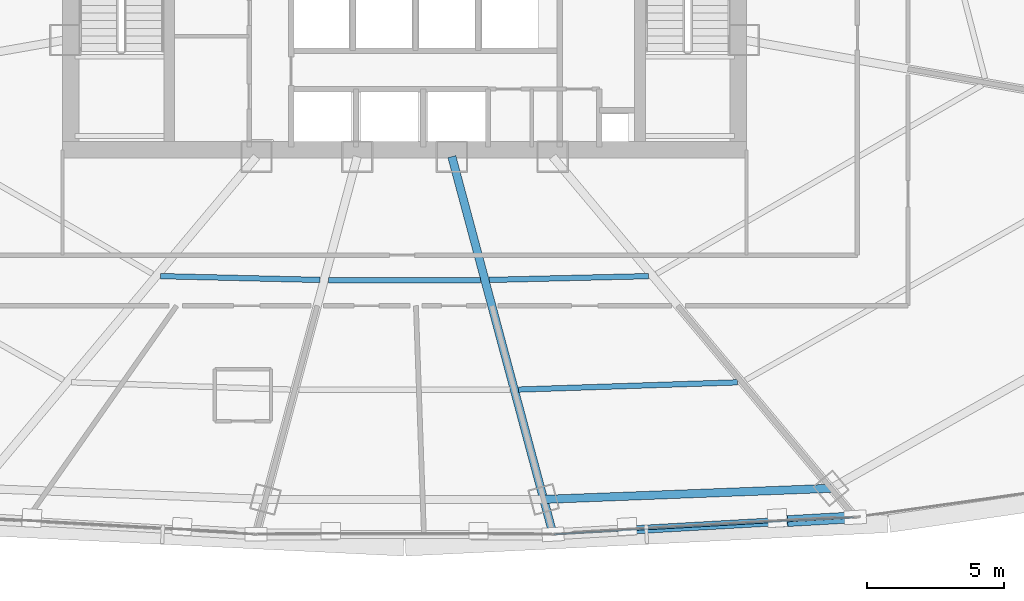
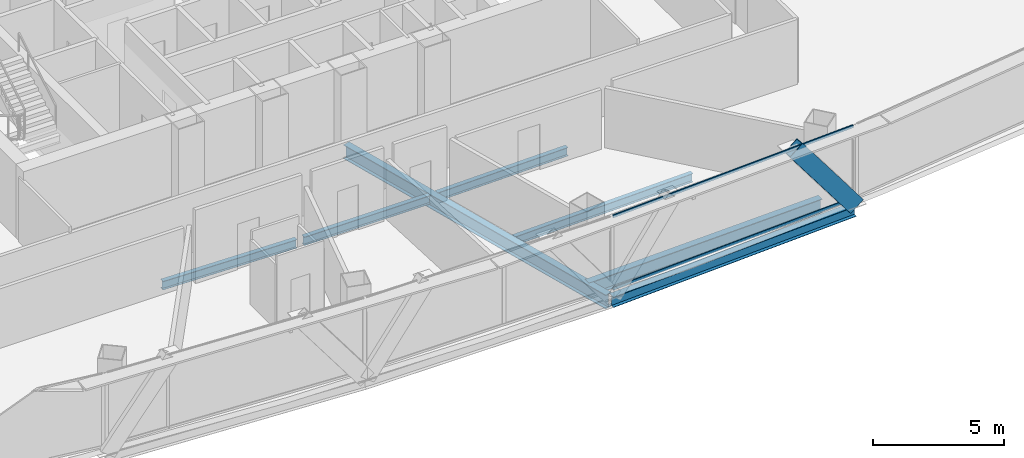
# One storey, part 13 of 40: 7 beams, 3 members, 1 element without a shape of its own.
"""IFC4 building model written with IfcOpenShell, lengths in metres."""

from ifc_helpers import new_model, si_unit, direction, frame, origin, origin_2d, place, context, subcontext, project, spatial, hollow_rectangle, i_section, extrude, source, transform, mapped, material, layer, layer_set, material_profile, profile_set, type_object, element, aggregate, save


model = new_model("IFC4")

# Units and contexts
model_context = context("Model", 3, precision=1e-05, world=origin(), true_north=direction((0.0, 1.0)))
body_context = subcontext(model_context, "Body", "Model", "MODEL_VIEW")
ifc_project = project(units=[si_unit("LENGTHUNIT", "METRE"), si_unit("AREAUNIT", "SQUARE_METRE"), si_unit("VOLUMEUNIT", "CUBIC_METRE"), si_unit("PLANEANGLEUNIT", "RADIAN"), si_unit("MASSUNIT", "GRAM", prefix="KILO"), si_unit("THERMODYNAMICTEMPERATUREUNIT", "KELVIN"), si_unit("POWERUNIT", "WATT")], contexts=[model_context])

# Site, building, storey
site_placement = place(None, origin())
site = spatial("IfcSite", under=ifc_project, at=site_placement, CompositionType="ELEMENT")
building_placement = place(site_placement, origin())
building = spatial("IfcBuilding", under=site, at=building_placement, Name="Yunzhuo Pagoda Commons", CompositionType="ELEMENT")
storey_placement = place(building_placement, frame((0.0, 0.0, 159.27001953125)))
storey = spatial("IfcBuildingStorey", under=building, at=storey_placement, Name="L40", CompositionType="ELEMENT", Elevation=159.27001953125)

# Beams
ifc_material_1 = material(Name="Structural steel Q355B", Category="steel")
ifc_material_profile_1 = material_profile(ifc_material_1, i_section(OverallWidth=0.300048828125, OverallDepth=0.64990234375, WebThickness=0.012939453125, FlangeThickness=0.02197265625, at=origin_2d()), Name="Structural steel Q355B")
ifc_profile_set_1 = profile_set([ifc_material_profile_1], Name="Structural steel Q355B")
beam_type_1 = type_object("IfcBeamType", Name="B-RG2 Beam HN 650x300x13x22", PredefinedType="BEAM", material=ifc_profile_set_1)
shared_shape_1 = source(origin(), body_context, "Body", "SweptSolid", [
    extrude(i_section(OverallWidth=0.300048828125, OverallDepth=0.64990234375, WebThickness=0.012939453125, FlangeThickness=0.02197265625, at=origin_2d()), origin(), (0.0, 0.0, 1.0), 10.5078125),
])
beam_1_placement = place(storey_placement, frame((53.085205078125, 14.7216796875, -0.5849609375), z_axis=(0.999258632812, 0.03849915259, 0.0), x_axis=(-0.03849915259, 0.999258632812, 0.0)))
element("IfcBeam", 1, at=beam_1_placement, inside=storey, type_object=beam_type_1, Name="L40 column-ring beam 3", PredefinedType="BEAM", context=body_context, shape_type="MappedRepresentation", body=[
    mapped(shared_shape_1, transform((0.0, 0.0, 0.0), scale=1.0)),
])
ifc_material_profile_2 = material_profile(ifc_material_1, i_section(OverallWidth=0.199951171875, OverallDepth=0.39990234375, WebThickness=0.008056640625, FlangeThickness=0.012939453125, at=origin_2d()), Name="Structural steel Q355B")
ifc_profile_set_2 = profile_set([ifc_material_profile_2], Name="Structural steel Q355B")
beam_type_2 = type_object("IfcBeamType", Name="B-JS1 Joist HN 400x200x8x13", PredefinedType="JOIST", material=ifc_profile_set_2)
shared_shape_2 = source(origin(), body_context, "Body", "SweptSolid", [
    extrude(i_section(OverallWidth=0.199951171875, OverallDepth=0.39990234375, WebThickness=0.008056640625, FlangeThickness=0.012939453125, at=origin_2d()), origin(), (0.0, 0.0, 1.0), 5.821533203125),
])
for number, where, z_axis, x_axis, name in (
    (2, (39.08447265625, 22.881591796875, -0.4599609375), (0.999718239795, -0.023736912649, 0.0), (0.023736912649, 0.999718239795, 0.0), "L40 composite ring joist 1.1"),
    (3, (51.095703125, 22.743408203125, -0.4599609375), (0.999718239795, 0.023736912649, 0.0), (-0.023736912649, 0.999718239795, 0.0), "L40 composite ring joist 1.3"),
):
    element("IfcBeam", number, at=place(storey_placement, frame(where, z_axis=z_axis, x_axis=x_axis)), inside=storey, type_object=beam_type_2, Name=name, PredefinedType="JOIST", context=body_context, shape_type="MappedRepresentation", body=[
        mapped(shared_shape_2, transform((0.0, 0.0, 0.0), scale=1.0)),
    ])
shared_shape_3 = source(origin(), body_context, "Body", "SweptSolid", [
    extrude(i_section(OverallWidth=0.199951171875, OverallDepth=0.39990234375, WebThickness=0.008056640625, FlangeThickness=0.012939453125, at=origin_2d()), origin(), (0.0, 0.0, 1.0), 8.00537109375),
])
beam_2_placement = place(storey_placement, frame((52.169921875, 18.73583984375, -0.4599609375), z_axis=(0.999453403952, 0.033058937199, 0.0), x_axis=(-0.033058937199, 0.999453403952, 0.0)))
element("IfcBeam", 4, at=beam_2_placement, inside=storey, type_object=beam_type_2, Name="L40 composite ring joist 2.3", PredefinedType="JOIST", context=body_context, shape_type="MappedRepresentation", body=[
    mapped(shared_shape_3, transform((0.0, 0.0, 0.0), scale=1.0)),
])
shared_shape_4 = source(origin(), body_context, "Body", "SweptSolid", [
    extrude(i_section(OverallWidth=0.199951171875, OverallDepth=0.39990234375, WebThickness=0.008056640625, FlangeThickness=0.012939453125, at=origin_2d()), origin(), (0.0, 0.0, 1.0), 5.5556640625),
])
beam_3_placement = place(storey_placement, frame((45.22216796875, 22.73974609375, -0.4599609375), z_axis=(1.0, 0.0, 0.0), x_axis=(0.0, 1.0, 0.0)))
element("IfcBeam", 5, at=beam_3_placement, inside=storey, type_object=beam_type_2, Name="L40 composite ring joist 1.2", PredefinedType="JOIST", context=body_context, shape_type="MappedRepresentation", body=[
    mapped(shared_shape_4, transform((0.0, 0.0, 0.0), scale=1.0)),
])
shared_shape_5 = source(origin(), body_context, "Body", "SweptSolid", [
    extrude(i_section(OverallWidth=0.300048828125, OverallDepth=0.64990234375, WebThickness=0.012939453125, FlangeThickness=0.02197265625, at=origin_2d()), origin(), (0.0, 0.0, 1.0), 14.137939453125),
])
beam_4_placement = place(storey_placement, frame((53.387451171875, 13.59375, -0.5849609375), z_axis=(-0.258802836228, 0.965930169298, 0.0), x_axis=(-0.965930169298, -0.258802836228, 0.0)))
element("IfcBeam", 6, at=beam_4_placement, inside=storey, type_object=beam_type_1, Name="L40 radial floor girder F1C3", PredefinedType="BEAM", context=body_context, shape_type="MappedRepresentation", body=[
    mapped(shared_shape_5, transform((0.0, 0.0, 0.0), scale=1.0)),
])
ifc_material_profile_3 = material_profile(ifc_material_1, i_section(OverallWidth=0.300048828125, OverallDepth=0.488037109375, WebThickness=0.010986328125, FlangeThickness=0.01806640625, at=origin_2d()), Name="Structural steel Q355B")
ifc_profile_set_3 = profile_set([ifc_material_profile_3], Name="Structural steel Q355B")
beam_type_3 = type_object("IfcBeamType", Name="B-SP1 Beam HM 488x300x11x18", PredefinedType="BEAM", material=ifc_profile_set_3)
shared_shape_6 = source(origin(), body_context, "Body", "SweptSolid", [
    extrude(i_section(OverallWidth=0.300048828125, OverallDepth=0.488037109375, WebThickness=0.010986328125, FlangeThickness=0.01806640625, at=origin_2d()), origin(), (0.0, 0.0, 1.0), 11.06298828125),
])
beam_5_placement = place(storey_placement, frame((53.427490234375, 13.44384765625, -0.50390625), z_axis=(0.998402926244, 0.056494219778, 0.0), x_axis=(-0.056494219778, 0.998402926244, 0.0)))
element("IfcBeam", 7, at=beam_5_placement, inside=storey, type_object=beam_type_3, Name="L40 facade edge spandrel beam F1.3", PredefinedType="BEAM", context=body_context, shape_type="MappedRepresentation", body=[
    mapped(shared_shape_6, transform((0.0, 0.0, 0.0), scale=1.0)),
])

# Member
ifc_material_profile_4 = material_profile(ifc_material_1, hollow_rectangle(XDim=0.39990234375, YDim=0.719970703125, WallThickness=0.02392578125, at=origin_2d()), Name="Structural steel Q355B")
ifc_profile_set_4 = profile_set([ifc_material_profile_4], Name="Structural steel Q355B")
member_type_1 = type_object("IfcMemberType", Name="M-DL2 Brace BOX 720x400x24", PredefinedType="BRACE", material=ifc_profile_set_4)
shared_shape_7 = source(origin(), body_context, "Body", "SweptSolid", [
    extrude(hollow_rectangle(XDim=0.39990234375, YDim=0.719970703125, WallThickness=0.02392578125, at=origin_2d()), origin(), (0.0, 0.0, 1.0), 4.603515625),
])
member_1_placement = place(storey_placement, frame((64.472900390625, 14.06884765625, -0.260009765625), z_axis=(-0.59986640331, -0.03394169376, 0.799379921942), x_axis=(0.056491730434, -0.998403067099, 0.0)))
element("IfcMember", 8, at=member_1_placement, inside=storey, type_object=member_type_1, Name="L40 facade diamond brace F1.3R", PredefinedType="BRACE", context=body_context, shape_type="MappedRepresentation", body=[
    mapped(shared_shape_7, transform((0.0, 0.0, 0.0), scale=1.0)),
])

# Curtain wall, members
ifc_material_2 = material(Name="Anodized aluminium 6063-T6", Category="aluminium")
ifc_layer = layer(ifc_material_2, 0.14990234375)
ifc_layer_set = layer_set([ifc_layer], Name="Anodized aluminium 6063-T6")
curtain_wall_type = type_object("IfcCurtainWallType", Name="CW-MID Mid-Zone Ribbon Curtain Wall", PredefinedType="NOTDEFINED", material=ifc_layer_set)
curtain_wall_placement = place(storey_placement, origin())
curtain_wall = element("IfcCurtainWall", 9, at=curtain_wall_placement, inside=storey, type_object=curtain_wall_type, Name="L40 curtain wall CW-L40-F1B4", PredefinedType="NOTDEFINED")
ifc_material_profile_5 = material_profile(ifc_material_2, hollow_rectangle(XDim=0.054931640625, YDim=0.1298828125, WallThickness=0.00341796875, at=origin_2d()), Name="Anodized aluminium 6063-T6")
ifc_profile_set_5 = profile_set([ifc_material_profile_5], Name="Anodized aluminium 6063-T6")
member_type_2 = type_object("IfcMemberType", Name="CW-MID-T Transom RHS 130x55x3.5", PredefinedType="USERDEFINED", material=ifc_profile_set_5)
shared_shape_8 = source(origin(), body_context, "Body", "SweptSolid", [
    extrude(hollow_rectangle(XDim=0.054931640625, YDim=0.1298828125, WallThickness=0.00341796875, at=origin_2d()), origin(), (0.0, 0.0, 1.0), 10.94287109375),
])
member_2_placement = place(storey_placement, frame((53.487548828125, 13.447265625, 0.027587890625), z_axis=(0.998403128064, 0.056490652967, 0.0), x_axis=(-0.056490652967, 0.998403128064, 0.0)))
member_2 = element("IfcMember", 10, at=member_2_placement, type_object=member_type_2, Name="CW transom 1.1", ObjectType="TRANSOM", PredefinedType="USERDEFINED", context=body_context, shape_type="MappedRepresentation", body=[
    mapped(shared_shape_8, transform((0.0, 0.0, 0.0), scale=1.0)),
])
member_3_placement = place(storey_placement, frame((53.487548828125, 13.447265625, 3.392578125), z_axis=(0.998403128064, 0.056490652967, 0.0), x_axis=(-0.056490652967, 0.998403128064, 0.0)))
member_3 = element("IfcMember", 11, at=member_3_placement, type_object=member_type_2, Name="CW transom 1.2", ObjectType="TRANSOM", PredefinedType="USERDEFINED", context=body_context, shape_type="MappedRepresentation", body=[
    mapped(shared_shape_8, transform((0.0, 0.0, 0.0), scale=1.0)),
])
aggregate(curtain_wall, [member_2, member_3])

save(model, "model.ifc")
